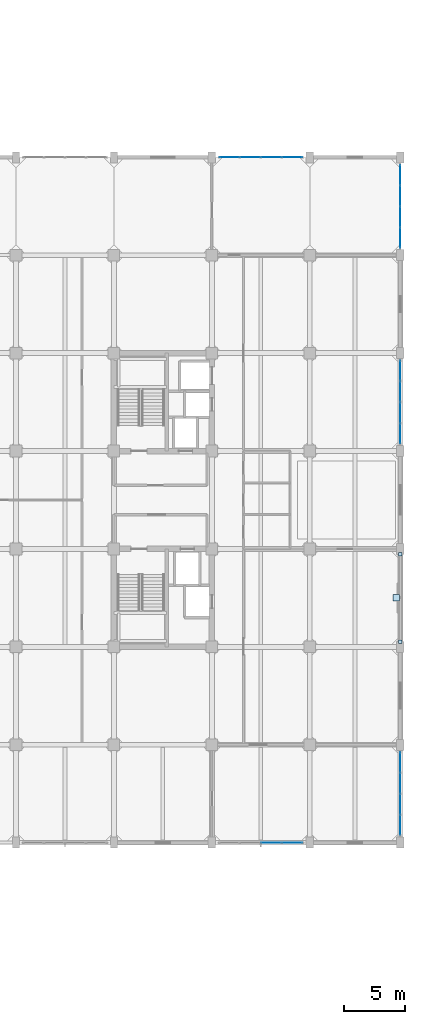
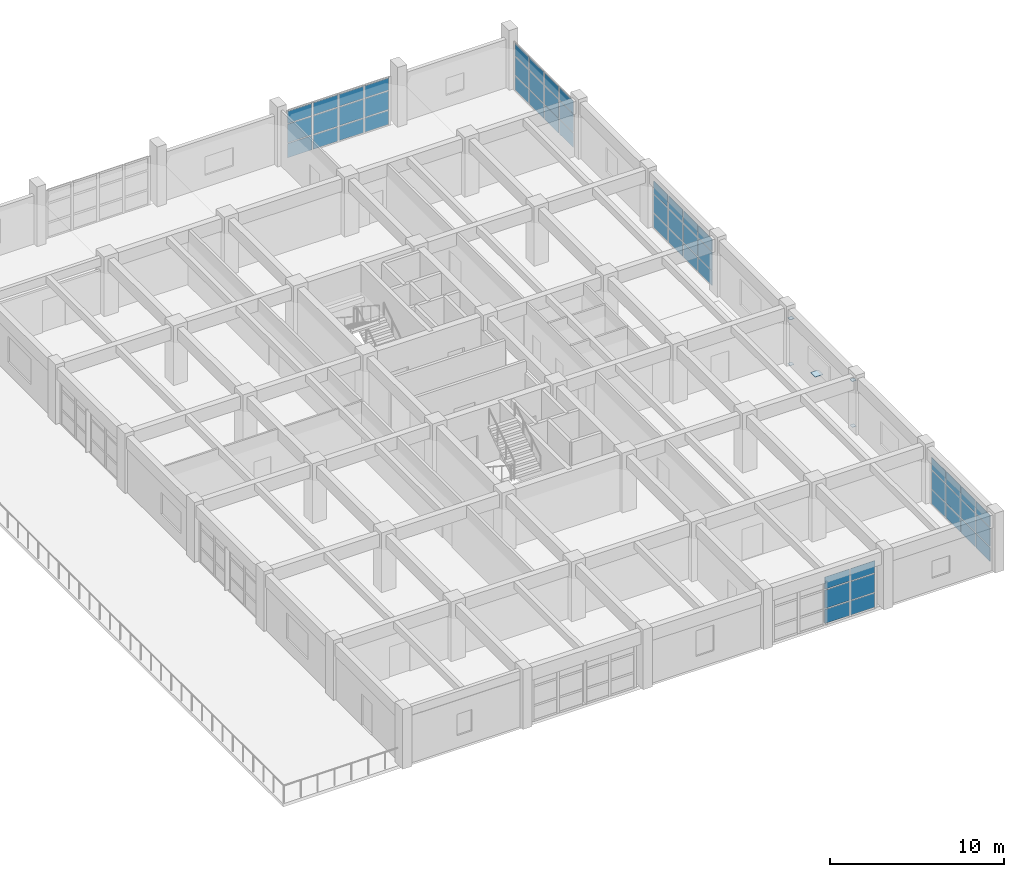
# One storey, part 24 of 35: 59 plates, 5 elements without a shape of their own.
"""IFC4 building model written with IfcOpenShell, lengths in metres."""

import ifcopenshell
import ifcopenshell.guid

model = None  # the IFC model being written
_history = None  # IfcOwnerHistory: only IFC2X3 demands one
_inside = {}  # id of a spatial element -> (the spatial element, [elements in it])
_under = {}  # id of a project, library or spatial element -> (it, [spatial elements below it])
_declared = {}  # id of a project -> (the project, [libraries it declares])
_typed = {}  # id of a type object -> (the type object, [elements of that type])
_made_of = {}  # id of a material, layer set ... -> (it, [elements and type objects made of it])


def new_model(schema):
    """Start an empty IFC model of exactly this schema.

    Asked for "IFC4X3", IfcOpenShell would pick the latest addendum, in which some entities
    have other attributes; the version numbers below select the first issue.
    IFC2X3 requires an IfcOwnerHistory on every rooted entity: one is made here for all.
    """
    global model, _history
    if schema == "IFC4X3":
        model = ifcopenshell.file(schema_version=(4, 3, 0, 0))
    else:
        model = ifcopenshell.file(schema=schema)
    _inside.clear()
    _under.clear()
    _declared.clear()
    _typed.clear()
    _made_of.clear()
    _history = None
    if model.schema == "IFC2X3":
        org = make("IfcOrganization", Name="unknown")
        user = make(
            "IfcPersonAndOrganization",
            ThePerson=make("IfcPerson", FamilyName="unknown"),
            TheOrganization=org,
        )
        app = make(
            "IfcApplication",
            ApplicationDeveloper=org,
            Version="unknown",
            ApplicationFullName="unknown",
            ApplicationIdentifier="unknown",
        )
        _history = make(
            "IfcOwnerHistory",
            OwningUser=user,
            OwningApplication=app,
            ChangeAction="ADDED",
            CreationDate=0,
        )
    return model


def make(cls, **values):
    """One entity of the class cls with the attributes given. An attribute that is None is left unset."""
    return model.create_entity(
        cls, **{name: value for name, value in values.items() if value is not None}
    )


def rooted(cls, **values):
    """An entity with a GlobalId (a new one), such as an element, a storey or a relation."""
    return make(cls, GlobalId=ifcopenshell.guid.new(), OwnerHistory=_history, **values)


def si_unit(unit_type, name, prefix=None):
    """IfcSIUnit, for example si_unit("LENGTHUNIT", "METRE", prefix="MILLI")."""
    return make("IfcSIUnit", UnitType=unit_type, Prefix=prefix, Name=name)


def assignment(units):
    """IfcUnitAssignment: the units of a project."""
    return None if units is None else make("IfcUnitAssignment", Units=units)


def point(xyz):
    """IfcCartesianPoint."""
    return None if xyz is None else make("IfcCartesianPoint", Coordinates=xyz)


def direction(xyz):
    """IfcDirection."""
    return None if xyz is None else make("IfcDirection", DirectionRatios=xyz)


def frame(location, z_axis=None, x_axis=None):
    """IfcAxis2Placement3D, a coordinate frame: its origin and axes. An axis left out is left unset."""
    return make(
        "IfcAxis2Placement3D",
        Location=point(location),
        Axis=direction(z_axis),
        RefDirection=direction(x_axis),
    )


def frame_2d(location, x_axis=None):
    """IfcAxis2Placement2D, a coordinate frame in the plane: its origin and x axis."""
    return make(
        "IfcAxis2Placement2D", Location=point(location), RefDirection=direction(x_axis)
    )


def origin():
    """The frame at (0, 0, 0) with its axes left unset."""
    return frame((0.0, 0.0, 0.0))


def origin_2d():
    """The frame at (0, 0) in the plane with its x axis left unset."""
    return frame_2d((0.0, 0.0))


def place(relative_to, where):
    """IfcLocalPlacement: puts the frame where relative to a parent placement (None: the world)."""
    return make(
        "IfcLocalPlacement", PlacementRelTo=relative_to, RelativePlacement=where
    )


def context(
    kind, dimensions, precision=None, world=None, true_north=None, identifier=None
):
    """IfcGeometricRepresentationContext, for example the 3D "Model" context."""
    return make(
        "IfcGeometricRepresentationContext",
        ContextIdentifier=identifier,
        ContextType=kind,
        CoordinateSpaceDimension=dimensions,
        Precision=precision,
        WorldCoordinateSystem=world,
        TrueNorth=true_north,
    )


def subcontext(parent, identifier, kind, view, scale=None):
    """IfcGeometricRepresentationSubContext, for example "Body" below "Model"."""
    return make(
        "IfcGeometricRepresentationSubContext",
        ContextIdentifier=identifier,
        ContextType=kind,
        ParentContext=parent,
        TargetScale=scale,
        TargetView=view,
    )


def project(units=None, contexts=None):
    """IfcProject with its units and contexts."""
    return rooted(
        "IfcProject",
        Name="project",
        RepresentationContexts=contexts,
        UnitsInContext=assignment(units),
    )


def spatial(cls, under=None, at=None, **own):
    """A site, building, storey or space (cls), placed at a placement, below another one or the project."""
    s = rooted(cls, ObjectPlacement=at, **own)
    if under is not None:
        _under.setdefault(under.id(), (under, []))[1].append(s)
    return s


def profile(cls, at=None, kind="AREA", **sizes):
    """A parametric profile (cls). Its sizes go by their IFC names, for example OverallWidth=200.0."""
    return make(cls, ProfileType=kind, Position=at, **sizes)


def rectangle(**sizes):
    """IfcRectangleProfileDef."""
    return profile("IfcRectangleProfileDef", **sizes)


def extrude(swept, where, along, depth):
    """IfcExtrudedAreaSolid: the profile swept, set in the frame where, extruded along a direction by depth."""
    return make(
        "IfcExtrudedAreaSolid",
        SweptArea=swept,
        Position=where,
        ExtrudedDirection=direction(along),
        Depth=depth,
    )


def shape(context_of_items, identifier, shape_type, items):
    """IfcShapeRepresentation: the items that make up one representation, for example the "Body"."""
    return make(
        "IfcShapeRepresentation",
        ContextOfItems=context_of_items,
        RepresentationIdentifier=identifier,
        RepresentationType=shape_type,
        Items=items,
    )


def material(Name=None, Category=None):
    """IfcMaterial."""
    return make("IfcMaterial", Name=Name, Category=Category)


def layer(
    of_material, thickness, ventilated=None, Name=None, Category=None, Priority=None
):
    """IfcMaterialLayer: one layer of a wall or slab, of a material (None: an air gap)."""
    return make(
        "IfcMaterialLayer",
        Material=of_material,
        LayerThickness=thickness,
        IsVentilated=ventilated,
        Name=Name,
        Category=Category,
        Priority=Priority,
    )


def layer_set(layers, Name=None):
    """IfcMaterialLayerSet."""
    return make("IfcMaterialLayerSet", MaterialLayers=layers, LayerSetName=Name)


def made_of(thing, what):
    """Note that an element or type object is made of a material, layer set ...; save() writes the relation."""
    if what is not None:
        _made_of.setdefault(what.id(), (what, []))[1].append(thing)
    return thing


def type_object(cls, material=None, **own):
    """A type object (cls), such as IfcWallType, which elements share."""
    return made_of(rooted(cls, **own), material)


def element(
    cls,
    number,
    at=None,
    inside=None,
    cuts=None,
    type_object=None,
    material=None,
    context=None,
    identifier="Body",
    shape_type=None,
    held_by="IfcProductDefinitionShape",
    body=None,
    shapes=None,
    **own,
):
    """One element of the class cls, such as IfcWall. Its Tag is "e" and its number.

    at: its placement. inside: the storey or other place that contains it. cuts: it is an
    opening in that element (IfcRelVoidsElement). A single representation is given by context,
    identifier, shape_type and body (its items); several are given by shapes. held_by: the class
    of the entity that holds the representations. save() writes the other relations.
    """
    e = rooted(cls, Tag="e%d" % number, ObjectPlacement=at, **own)
    if body is not None:
        shapes = [shape(context, identifier, shape_type, body)]
    if shapes is not None:
        e.Representation = make(held_by, Representations=shapes)
    if inside is not None:
        _inside.setdefault(inside.id(), (inside, []))[1].append(e)
    if cuts is not None:
        rooted(
            "IfcRelVoidsElement", RelatingBuildingElement=cuts, RelatedOpeningElement=e
        )
    if type_object is not None:
        _typed.setdefault(type_object.id(), (type_object, []))[1].append(e)
    return made_of(e, material)


def aggregate(whole, parts):
    """IfcRelAggregates: a whole, such as a stair, and the parts it consists of."""
    return rooted("IfcRelAggregates", RelatingObject=whole, RelatedObjects=parts)


def save(model, path):
    """Write the relations noted so far, then the file.

    IfcRelAggregates (storeys below a building ...), IfcRelContainedInSpatialStructure (elements
    in a storey), IfcRelDefinesByType, IfcRelAssociatesMaterial and IfcRelDeclares: one each for
    every whole, place, type object, material and project.
    """
    for whole, parts in _under.values():
        aggregate(whole, parts)
    for where, things in _inside.values():
        rooted(
            "IfcRelContainedInSpatialStructure",
            RelatedElements=things,
            RelatingStructure=where,
        )
    for kind, things in _typed.values():
        rooted("IfcRelDefinesByType", RelatedObjects=things, RelatingType=kind)
    for what, things in _made_of.values():
        rooted("IfcRelAssociatesMaterial", RelatedObjects=things, RelatingMaterial=what)
    for by, libraries in _declared.values():
        rooted("IfcRelDeclares", RelatingContext=by, RelatedDefinitions=libraries)
    model.write(path)


model = new_model("IFC4")

# Units and contexts
model_context = context("Model", 3, precision=1e-05, world=origin(), true_north=direction((0.0, 1.0)))
body_context = subcontext(model_context, "Body", "Model", "MODEL_VIEW")
ifc_project = project(units=[si_unit("LENGTHUNIT", "METRE"), si_unit("AREAUNIT", "SQUARE_METRE"), si_unit("VOLUMEUNIT", "CUBIC_METRE"), si_unit("PLANEANGLEUNIT", "RADIAN"), si_unit("MASSUNIT", "GRAM", prefix="KILO")], contexts=[model_context])

# Site, building, storey
site_placement = place(None, origin())
site = spatial("IfcSite", under=ifc_project, at=site_placement, CompositionType="ELEMENT")
building_placement = place(site_placement, origin())
building = spatial("IfcBuilding", under=site, at=building_placement, Name="Canggui Botanical Conservatory", CompositionType="ELEMENT")
storey_placement = place(building_placement, frame((0.0, 0.0, 15.0)))
storey = spatial("IfcBuildingStorey", under=building, at=storey_placement, Name="L04", CompositionType="ELEMENT", Elevation=15.0)

# Curtain wall, plates
ifc_material_1 = material(Name="Thermally Broken Aluminium", Category="aluminium")
ifc_layer_1 = layer(ifc_material_1, 0.179931640625, Name="Thermally Broken Aluminium", Category="aluminium")
ifc_layer_set_1 = layer_set([ifc_layer_1], Name="Thermally Broken Aluminium")
curtain_wall_type = type_object("IfcCurtainWallType", Name="CW-UNIT-A", PredefinedType="USERDEFINED", material=ifc_layer_set_1)
curtain_wall_1_placement = place(storey_placement, origin())
curtain_wall_1 = element("IfcCurtainWall", 1, at=curtain_wall_1_placement, inside=storey, type_object=curtain_wall_type, Name="Facade Curtain Wall CW-TWR-L04-02", ObjectType="UNITISED CURTAIN WALL", PredefinedType="USERDEFINED")
ifc_material_2 = material(Name="Low-E Insulated Glass", Category="glass")
ifc_layer_2 = layer(ifc_material_2, 0.02587890625, Name="Low-E Insulated Glass", Category="glass")
ifc_layer_set_2 = layer_set([ifc_layer_2], Name="Low-E Insulated Glass")
plate_type_1 = type_object("IfcPlateType", Name="CWP-01", PredefinedType="CURTAIN_PANEL", material=ifc_layer_set_2)
plate_1_placement = place(storey_placement, frame((168.5625, 26.0, 0.06494140625), z_axis=(0.0, 0.0, 1.0), x_axis=(-1.0, 0.0, 0.0)))
plate_1 = element("IfcPlate", 2, at=plate_1_placement, type_object=plate_type_1, Name="CW-01 panel 1.1", PredefinedType="CURTAIN_PANEL", context=body_context, shape_type="SweptSolid", body=[
    extrude(rectangle(XDim=1.614990234375, YDim=0.02587890625, at=origin_2d()), origin(), (0.0, 0.0, 1.0), 0.990478515625),
])
plate_2_placement = place(storey_placement, frame((168.5625, 26.0, 1.12060546875), z_axis=(0.0, 0.0, 1.0), x_axis=(-1.0, 0.0, 0.0)))
plate_2 = element("IfcPlate", 3, at=plate_2_placement, type_object=plate_type_1, Name="CW-01 panel 1.2", PredefinedType="CURTAIN_PANEL", context=body_context, shape_type="SweptSolid", body=[
    extrude(rectangle(XDim=1.614990234375, YDim=0.02587890625, at=origin_2d()), origin(), (0.0, 0.0, 1.0), 1.294921875),
])
plate_3_placement = place(storey_placement, frame((168.5625, 26.0, 2.48046875), z_axis=(0.0, 0.0, 1.0), x_axis=(-1.0, 0.0, 0.0)))
plate_3 = element("IfcPlate", 4, at=plate_3_placement, type_object=plate_type_1, Name="CW-01 panel 1.3", PredefinedType="CURTAIN_PANEL", context=body_context, shape_type="SweptSolid", body=[
    extrude(rectangle(XDim=1.614990234375, YDim=0.02587890625, at=origin_2d()), origin(), (0.0, 0.0, 1.0), 0.8544921875),
])
plate_4_placement = place(storey_placement, frame((166.860107421875, 26.0, 0.06494140625), z_axis=(0.0, 0.0, 1.0), x_axis=(-1.0, 0.0, 0.0)))
plate_4 = element("IfcPlate", 5, at=plate_4_placement, type_object=plate_type_1, Name="CW-01 panel 2.1", PredefinedType="CURTAIN_PANEL", context=body_context, shape_type="SweptSolid", body=[
    extrude(rectangle(XDim=1.64990234375, YDim=0.02587890625, at=origin_2d()), origin(), (0.0, 0.0, 1.0), 0.990478515625),
])
plate_5_placement = place(storey_placement, frame((166.860107421875, 26.0, 1.12060546875), z_axis=(0.0, 0.0, 1.0), x_axis=(-1.0, 0.0, 0.0)))
plate_5 = element("IfcPlate", 6, at=plate_5_placement, type_object=plate_type_1, Name="CW-01 panel 2.2", PredefinedType="CURTAIN_PANEL", context=body_context, shape_type="SweptSolid", body=[
    extrude(rectangle(XDim=1.64990234375, YDim=0.02587890625, at=origin_2d()), origin(), (0.0, 0.0, 1.0), 1.294921875),
])
plate_6_placement = place(storey_placement, frame((166.860107421875, 26.0, 2.48046875), z_axis=(0.0, 0.0, 1.0), x_axis=(-1.0, 0.0, 0.0)))
plate_6 = element("IfcPlate", 7, at=plate_6_placement, type_object=plate_type_1, Name="CW-01 panel 2.3", PredefinedType="CURTAIN_PANEL", context=body_context, shape_type="SweptSolid", body=[
    extrude(rectangle(XDim=1.64990234375, YDim=0.02587890625, at=origin_2d()), origin(), (0.0, 0.0, 1.0), 0.8544921875),
])
aggregate(curtain_wall_1, [plate_1, plate_2, plate_3, plate_4, plate_5, plate_6])

curtain_wall_2_placement = place(storey_placement, origin())
curtain_wall_2 = element("IfcCurtainWall", 8, at=curtain_wall_2_placement, inside=storey, type_object=curtain_wall_type, Name="Facade Curtain Wall CW-TWR-L04-16", ObjectType="UNITISED CURTAIN WALL", PredefinedType="USERDEFINED")
plate_7_placement = place(storey_placement, frame((163.4375, 82.0, 0.06494140625), z_axis=(0.0, 0.0, 1.0), x_axis=(1.0, 0.0, 0.0)))
plate_7 = element("IfcPlate", 9, at=plate_7_placement, type_object=plate_type_1, Name="CW-01 panel 1.1", PredefinedType="CURTAIN_PANEL", context=body_context, shape_type="SweptSolid", body=[
    extrude(rectangle(XDim=1.614990234375, YDim=0.02587890625, at=origin_2d()), origin(), (0.0, 0.0, 1.0), 0.990478515625),
])
plate_8_placement = place(storey_placement, frame((163.4375, 82.0, 1.12060546875), z_axis=(0.0, 0.0, 1.0), x_axis=(1.0, 0.0, 0.0)))
plate_8 = element("IfcPlate", 10, at=plate_8_placement, type_object=plate_type_1, Name="CW-01 panel 1.2", PredefinedType="CURTAIN_PANEL", context=body_context, shape_type="SweptSolid", body=[
    extrude(rectangle(XDim=1.614990234375, YDim=0.02587890625, at=origin_2d()), origin(), (0.0, 0.0, 1.0), 1.294921875),
])
plate_9_placement = place(storey_placement, frame((163.4375, 82.0, 2.48046875), z_axis=(0.0, 0.0, 1.0), x_axis=(1.0, 0.0, 0.0)))
plate_9 = element("IfcPlate", 11, at=plate_9_placement, type_object=plate_type_1, Name="CW-01 panel 1.3", PredefinedType="CURTAIN_PANEL", context=body_context, shape_type="SweptSolid", body=[
    extrude(rectangle(XDim=1.614990234375, YDim=0.02587890625, at=origin_2d()), origin(), (0.0, 0.0, 1.0), 0.8544921875),
])
plate_10_placement = place(storey_placement, frame((165.139892578125, 82.0, 0.06494140625), z_axis=(0.0, 0.0, 1.0), x_axis=(1.0, 0.0, 0.0)))
plate_10 = element("IfcPlate", 12, at=plate_10_placement, type_object=plate_type_1, Name="CW-01 panel 2.1", PredefinedType="CURTAIN_PANEL", context=body_context, shape_type="SweptSolid", body=[
    extrude(rectangle(XDim=1.64990234375, YDim=0.02587890625, at=origin_2d()), origin(), (0.0, 0.0, 1.0), 0.990478515625),
])
plate_11_placement = place(storey_placement, frame((165.139892578125, 82.0, 1.12060546875), z_axis=(0.0, 0.0, 1.0), x_axis=(1.0, 0.0, 0.0)))
plate_11 = element("IfcPlate", 13, at=plate_11_placement, type_object=plate_type_1, Name="CW-01 panel 2.2", PredefinedType="CURTAIN_PANEL", context=body_context, shape_type="SweptSolid", body=[
    extrude(rectangle(XDim=1.64990234375, YDim=0.02587890625, at=origin_2d()), origin(), (0.0, 0.0, 1.0), 1.294921875),
])
plate_12_placement = place(storey_placement, frame((165.139892578125, 82.0, 2.48046875), z_axis=(0.0, 0.0, 1.0), x_axis=(1.0, 0.0, 0.0)))
plate_12 = element("IfcPlate", 14, at=plate_12_placement, type_object=plate_type_1, Name="CW-01 panel 2.3", PredefinedType="CURTAIN_PANEL", context=body_context, shape_type="SweptSolid", body=[
    extrude(rectangle(XDim=1.64990234375, YDim=0.02587890625, at=origin_2d()), origin(), (0.0, 0.0, 1.0), 0.8544921875),
])
plate_13_placement = place(storey_placement, frame((166.860107421875, 82.0, 0.06494140625), z_axis=(0.0, 0.0, 1.0), x_axis=(1.0, 0.0, 0.0)))
plate_13 = element("IfcPlate", 15, at=plate_13_placement, type_object=plate_type_1, Name="CW-01 panel 3.1", PredefinedType="CURTAIN_PANEL", context=body_context, shape_type="SweptSolid", body=[
    extrude(rectangle(XDim=1.64990234375, YDim=0.02587890625, at=origin_2d()), origin(), (0.0, 0.0, 1.0), 0.990478515625),
])
plate_14_placement = place(storey_placement, frame((166.860107421875, 82.0, 1.12060546875), z_axis=(0.0, 0.0, 1.0), x_axis=(1.0, 0.0, 0.0)))
plate_14 = element("IfcPlate", 16, at=plate_14_placement, type_object=plate_type_1, Name="CW-01 panel 3.2", PredefinedType="CURTAIN_PANEL", context=body_context, shape_type="SweptSolid", body=[
    extrude(rectangle(XDim=1.64990234375, YDim=0.02587890625, at=origin_2d()), origin(), (0.0, 0.0, 1.0), 1.294921875),
])
plate_15_placement = place(storey_placement, frame((166.860107421875, 82.0, 2.48046875), z_axis=(0.0, 0.0, 1.0), x_axis=(1.0, 0.0, 0.0)))
plate_15 = element("IfcPlate", 17, at=plate_15_placement, type_object=plate_type_1, Name="CW-01 panel 3.3", PredefinedType="CURTAIN_PANEL", context=body_context, shape_type="SweptSolid", body=[
    extrude(rectangle(XDim=1.64990234375, YDim=0.02587890625, at=origin_2d()), origin(), (0.0, 0.0, 1.0), 0.8544921875),
])
plate_16_placement = place(storey_placement, frame((168.5625, 82.0, 0.06494140625), z_axis=(0.0, 0.0, 1.0), x_axis=(1.0, 0.0, 0.0)))
plate_16 = element("IfcPlate", 18, at=plate_16_placement, type_object=plate_type_1, Name="CW-01 panel 4.1", PredefinedType="CURTAIN_PANEL", context=body_context, shape_type="SweptSolid", body=[
    extrude(rectangle(XDim=1.614990234375, YDim=0.02587890625, at=origin_2d()), origin(), (0.0, 0.0, 1.0), 0.990478515625),
])
plate_17_placement = place(storey_placement, frame((168.5625, 82.0, 1.12060546875), z_axis=(0.0, 0.0, 1.0), x_axis=(1.0, 0.0, 0.0)))
plate_17 = element("IfcPlate", 19, at=plate_17_placement, type_object=plate_type_1, Name="CW-01 panel 4.2", PredefinedType="CURTAIN_PANEL", context=body_context, shape_type="SweptSolid", body=[
    extrude(rectangle(XDim=1.614990234375, YDim=0.02587890625, at=origin_2d()), origin(), (0.0, 0.0, 1.0), 1.294921875),
])
plate_18_placement = place(storey_placement, frame((168.5625, 82.0, 2.48046875), z_axis=(0.0, 0.0, 1.0), x_axis=(1.0, 0.0, 0.0)))
plate_18 = element("IfcPlate", 20, at=plate_18_placement, type_object=plate_type_1, Name="CW-01 panel 4.3", PredefinedType="CURTAIN_PANEL", context=body_context, shape_type="SweptSolid", body=[
    extrude(rectangle(XDim=1.614990234375, YDim=0.02587890625, at=origin_2d()), origin(), (0.0, 0.0, 1.0), 0.8544921875),
])
aggregate(curtain_wall_2, [plate_7, plate_8, plate_9, plate_10, plate_11, plate_12, plate_13, plate_14, plate_15, plate_16, plate_17, plate_18])

curtain_wall_3_placement = place(storey_placement, origin())
curtain_wall_3 = element("IfcCurtainWall", 21, at=curtain_wall_3_placement, inside=storey, type_object=curtain_wall_type, Name="Facade Curtain Wall CW-TWR-L04-18", ObjectType="UNITISED CURTAIN WALL", PredefinedType="USERDEFINED")
plate_19_placement = place(storey_placement, frame((177.39990234375, 80.5625, 0.06494140625), z_axis=(0.0, 0.0, 1.0), x_axis=(0.0, -1.0, 0.0)))
plate_19 = element("IfcPlate", 22, at=plate_19_placement, type_object=plate_type_1, Name="CW-01 panel 1.1", PredefinedType="CURTAIN_PANEL", context=body_context, shape_type="SweptSolid", body=[
    extrude(rectangle(XDim=1.614990234375, YDim=0.02587890625, at=origin_2d()), origin(), (0.0, 0.0, 1.0), 0.990478515625),
])
plate_20_placement = place(storey_placement, frame((177.39990234375, 80.5625, 1.12060546875), z_axis=(0.0, 0.0, 1.0), x_axis=(0.0, -1.0, 0.0)))
plate_20 = element("IfcPlate", 23, at=plate_20_placement, type_object=plate_type_1, Name="CW-01 panel 1.2", PredefinedType="CURTAIN_PANEL", context=body_context, shape_type="SweptSolid", body=[
    extrude(rectangle(XDim=1.614990234375, YDim=0.02587890625, at=origin_2d()), origin(), (0.0, 0.0, 1.0), 1.294921875),
])
plate_21_placement = place(storey_placement, frame((177.39990234375, 80.5625, 2.48046875), z_axis=(0.0, 0.0, 1.0), x_axis=(0.0, -1.0, 0.0)))
plate_21 = element("IfcPlate", 24, at=plate_21_placement, type_object=plate_type_1, Name="CW-01 panel 1.3", PredefinedType="CURTAIN_PANEL", context=body_context, shape_type="SweptSolid", body=[
    extrude(rectangle(XDim=1.614990234375, YDim=0.02587890625, at=origin_2d()), origin(), (0.0, 0.0, 1.0), 0.8544921875),
])
plate_22_placement = place(storey_placement, frame((177.39990234375, 78.860107421875, 0.06494140625), z_axis=(0.0, 0.0, 1.0), x_axis=(0.0, -1.0, 0.0)))
plate_22 = element("IfcPlate", 25, at=plate_22_placement, type_object=plate_type_1, Name="CW-01 panel 2.1", PredefinedType="CURTAIN_PANEL", context=body_context, shape_type="SweptSolid", body=[
    extrude(rectangle(XDim=1.64990234375, YDim=0.02587890625, at=origin_2d()), origin(), (0.0, 0.0, 1.0), 0.990478515625),
])
plate_23_placement = place(storey_placement, frame((177.39990234375, 78.860107421875, 1.12060546875), z_axis=(0.0, 0.0, 1.0), x_axis=(0.0, -1.0, 0.0)))
plate_23 = element("IfcPlate", 26, at=plate_23_placement, type_object=plate_type_1, Name="CW-01 panel 2.2", PredefinedType="CURTAIN_PANEL", context=body_context, shape_type="SweptSolid", body=[
    extrude(rectangle(XDim=1.64990234375, YDim=0.02587890625, at=origin_2d()), origin(), (0.0, 0.0, 1.0), 1.294921875),
])
plate_24_placement = place(storey_placement, frame((177.39990234375, 78.860107421875, 2.48046875), z_axis=(0.0, 0.0, 1.0), x_axis=(0.0, -1.0, 0.0)))
plate_24 = element("IfcPlate", 27, at=plate_24_placement, type_object=plate_type_1, Name="CW-01 panel 2.3", PredefinedType="CURTAIN_PANEL", context=body_context, shape_type="SweptSolid", body=[
    extrude(rectangle(XDim=1.64990234375, YDim=0.02587890625, at=origin_2d()), origin(), (0.0, 0.0, 1.0), 0.8544921875),
])
plate_25_placement = place(storey_placement, frame((177.39990234375, 77.139892578125, 0.06494140625), z_axis=(0.0, 0.0, 1.0), x_axis=(0.0, -1.0, 0.0)))
plate_25 = element("IfcPlate", 28, at=plate_25_placement, type_object=plate_type_1, Name="CW-01 panel 3.1", PredefinedType="CURTAIN_PANEL", context=body_context, shape_type="SweptSolid", body=[
    extrude(rectangle(XDim=1.64990234375, YDim=0.02587890625, at=origin_2d()), origin(), (0.0, 0.0, 1.0), 0.990478515625),
])
plate_26_placement = place(storey_placement, frame((177.39990234375, 77.139892578125, 1.12060546875), z_axis=(0.0, 0.0, 1.0), x_axis=(0.0, -1.0, 0.0)))
plate_26 = element("IfcPlate", 29, at=plate_26_placement, type_object=plate_type_1, Name="CW-01 panel 3.2", PredefinedType="CURTAIN_PANEL", context=body_context, shape_type="SweptSolid", body=[
    extrude(rectangle(XDim=1.64990234375, YDim=0.02587890625, at=origin_2d()), origin(), (0.0, 0.0, 1.0), 1.294921875),
])
plate_27_placement = place(storey_placement, frame((177.39990234375, 77.139892578125, 2.48046875), z_axis=(0.0, 0.0, 1.0), x_axis=(0.0, -1.0, 0.0)))
plate_27 = element("IfcPlate", 30, at=plate_27_placement, type_object=plate_type_1, Name="CW-01 panel 3.3", PredefinedType="CURTAIN_PANEL", context=body_context, shape_type="SweptSolid", body=[
    extrude(rectangle(XDim=1.64990234375, YDim=0.02587890625, at=origin_2d()), origin(), (0.0, 0.0, 1.0), 0.8544921875),
])
plate_28_placement = place(storey_placement, frame((177.39990234375, 75.4375, 0.06494140625), z_axis=(0.0, 0.0, 1.0), x_axis=(0.0, -1.0, 0.0)))
plate_28 = element("IfcPlate", 31, at=plate_28_placement, type_object=plate_type_1, Name="CW-01 panel 4.1", PredefinedType="CURTAIN_PANEL", context=body_context, shape_type="SweptSolid", body=[
    extrude(rectangle(XDim=1.614990234375, YDim=0.02587890625, at=origin_2d()), origin(), (0.0, 0.0, 1.0), 0.990478515625),
])
plate_29_placement = place(storey_placement, frame((177.39990234375, 75.4375, 1.12060546875), z_axis=(0.0, 0.0, 1.0), x_axis=(0.0, -1.0, 0.0)))
plate_29 = element("IfcPlate", 32, at=plate_29_placement, type_object=plate_type_1, Name="CW-01 panel 4.2", PredefinedType="CURTAIN_PANEL", context=body_context, shape_type="SweptSolid", body=[
    extrude(rectangle(XDim=1.614990234375, YDim=0.02587890625, at=origin_2d()), origin(), (0.0, 0.0, 1.0), 1.294921875),
])
plate_30_placement = place(storey_placement, frame((177.39990234375, 75.4375, 2.48046875), z_axis=(0.0, 0.0, 1.0), x_axis=(0.0, -1.0, 0.0)))
plate_30 = element("IfcPlate", 33, at=plate_30_placement, type_object=plate_type_1, Name="CW-01 panel 4.3", PredefinedType="CURTAIN_PANEL", context=body_context, shape_type="SweptSolid", body=[
    extrude(rectangle(XDim=1.614990234375, YDim=0.02587890625, at=origin_2d()), origin(), (0.0, 0.0, 1.0), 0.8544921875),
])
aggregate(curtain_wall_3, [plate_19, plate_20, plate_21, plate_22, plate_23, plate_24, plate_25, plate_26, plate_27, plate_28, plate_29, plate_30])

curtain_wall_4_placement = place(storey_placement, origin())
curtain_wall_4 = element("IfcCurtainWall", 34, at=curtain_wall_4_placement, inside=storey, type_object=curtain_wall_type, Name="Facade Curtain Wall CW-TWR-L04-20", ObjectType="UNITISED CURTAIN WALL", PredefinedType="USERDEFINED")
plate_31_placement = place(storey_placement, frame((177.39990234375, 64.5625, 0.06494140625), z_axis=(0.0, 0.0, 1.0), x_axis=(0.0, -1.0, 0.0)))
plate_31 = element("IfcPlate", 35, at=plate_31_placement, type_object=plate_type_1, Name="CW-01 panel 1.1", PredefinedType="CURTAIN_PANEL", context=body_context, shape_type="SweptSolid", body=[
    extrude(rectangle(XDim=1.614990234375, YDim=0.02587890625, at=origin_2d()), origin(), (0.0, 0.0, 1.0), 0.990478515625),
])
plate_32_placement = place(storey_placement, frame((177.39990234375, 64.5625, 1.12060546875), z_axis=(0.0, 0.0, 1.0), x_axis=(0.0, -1.0, 0.0)))
plate_32 = element("IfcPlate", 36, at=plate_32_placement, type_object=plate_type_1, Name="CW-01 panel 1.2", PredefinedType="CURTAIN_PANEL", context=body_context, shape_type="SweptSolid", body=[
    extrude(rectangle(XDim=1.614990234375, YDim=0.02587890625, at=origin_2d()), origin(), (0.0, 0.0, 1.0), 1.294921875),
])
plate_33_placement = place(storey_placement, frame((177.39990234375, 64.5625, 2.48046875), z_axis=(0.0, 0.0, 1.0), x_axis=(0.0, -1.0, 0.0)))
plate_33 = element("IfcPlate", 37, at=plate_33_placement, type_object=plate_type_1, Name="CW-01 panel 1.3", PredefinedType="CURTAIN_PANEL", context=body_context, shape_type="SweptSolid", body=[
    extrude(rectangle(XDim=1.614990234375, YDim=0.02587890625, at=origin_2d()), origin(), (0.0, 0.0, 1.0), 0.8544921875),
])
plate_34_placement = place(storey_placement, frame((177.39990234375, 62.860107421875, 0.06494140625), z_axis=(0.0, 0.0, 1.0), x_axis=(0.0, -1.0, 0.0)))
plate_34 = element("IfcPlate", 38, at=plate_34_placement, type_object=plate_type_1, Name="CW-01 panel 2.1", PredefinedType="CURTAIN_PANEL", context=body_context, shape_type="SweptSolid", body=[
    extrude(rectangle(XDim=1.64990234375, YDim=0.02587890625, at=origin_2d()), origin(), (0.0, 0.0, 1.0), 0.990478515625),
])
plate_35_placement = place(storey_placement, frame((177.39990234375, 62.860107421875, 1.12060546875), z_axis=(0.0, 0.0, 1.0), x_axis=(0.0, -1.0, 0.0)))
plate_35 = element("IfcPlate", 39, at=plate_35_placement, type_object=plate_type_1, Name="CW-01 panel 2.2", PredefinedType="CURTAIN_PANEL", context=body_context, shape_type="SweptSolid", body=[
    extrude(rectangle(XDim=1.64990234375, YDim=0.02587890625, at=origin_2d()), origin(), (0.0, 0.0, 1.0), 1.294921875),
])
plate_36_placement = place(storey_placement, frame((177.39990234375, 62.860107421875, 2.48046875), z_axis=(0.0, 0.0, 1.0), x_axis=(0.0, -1.0, 0.0)))
plate_36 = element("IfcPlate", 40, at=plate_36_placement, type_object=plate_type_1, Name="CW-01 panel 2.3", PredefinedType="CURTAIN_PANEL", context=body_context, shape_type="SweptSolid", body=[
    extrude(rectangle(XDim=1.64990234375, YDim=0.02587890625, at=origin_2d()), origin(), (0.0, 0.0, 1.0), 0.8544921875),
])
plate_37_placement = place(storey_placement, frame((177.39990234375, 61.139892578125, 0.06494140625), z_axis=(0.0, 0.0, 1.0), x_axis=(0.0, -1.0, 0.0)))
plate_37 = element("IfcPlate", 41, at=plate_37_placement, type_object=plate_type_1, Name="CW-01 panel 3.1", PredefinedType="CURTAIN_PANEL", context=body_context, shape_type="SweptSolid", body=[
    extrude(rectangle(XDim=1.64990234375, YDim=0.02587890625, at=origin_2d()), origin(), (0.0, 0.0, 1.0), 0.990478515625),
])
plate_38_placement = place(storey_placement, frame((177.39990234375, 61.139892578125, 1.12060546875), z_axis=(0.0, 0.0, 1.0), x_axis=(0.0, -1.0, 0.0)))
plate_38 = element("IfcPlate", 42, at=plate_38_placement, type_object=plate_type_1, Name="CW-01 panel 3.2", PredefinedType="CURTAIN_PANEL", context=body_context, shape_type="SweptSolid", body=[
    extrude(rectangle(XDim=1.64990234375, YDim=0.02587890625, at=origin_2d()), origin(), (0.0, 0.0, 1.0), 1.294921875),
])
plate_39_placement = place(storey_placement, frame((177.39990234375, 61.139892578125, 2.48046875), z_axis=(0.0, 0.0, 1.0), x_axis=(0.0, -1.0, 0.0)))
plate_39 = element("IfcPlate", 43, at=plate_39_placement, type_object=plate_type_1, Name="CW-01 panel 3.3", PredefinedType="CURTAIN_PANEL", context=body_context, shape_type="SweptSolid", body=[
    extrude(rectangle(XDim=1.64990234375, YDim=0.02587890625, at=origin_2d()), origin(), (0.0, 0.0, 1.0), 0.8544921875),
])
plate_40_placement = place(storey_placement, frame((177.39990234375, 59.4375, 0.06494140625), z_axis=(0.0, 0.0, 1.0), x_axis=(0.0, -1.0, 0.0)))
plate_40 = element("IfcPlate", 44, at=plate_40_placement, type_object=plate_type_1, Name="CW-01 panel 4.1", PredefinedType="CURTAIN_PANEL", context=body_context, shape_type="SweptSolid", body=[
    extrude(rectangle(XDim=1.614990234375, YDim=0.02587890625, at=origin_2d()), origin(), (0.0, 0.0, 1.0), 0.990478515625),
])
plate_41_placement = place(storey_placement, frame((177.39990234375, 59.4375, 1.12060546875), z_axis=(0.0, 0.0, 1.0), x_axis=(0.0, -1.0, 0.0)))
plate_41 = element("IfcPlate", 45, at=plate_41_placement, type_object=plate_type_1, Name="CW-01 panel 4.2", PredefinedType="CURTAIN_PANEL", context=body_context, shape_type="SweptSolid", body=[
    extrude(rectangle(XDim=1.614990234375, YDim=0.02587890625, at=origin_2d()), origin(), (0.0, 0.0, 1.0), 1.294921875),
])
plate_42_placement = place(storey_placement, frame((177.39990234375, 59.4375, 2.48046875), z_axis=(0.0, 0.0, 1.0), x_axis=(0.0, -1.0, 0.0)))
plate_42 = element("IfcPlate", 46, at=plate_42_placement, type_object=plate_type_1, Name="CW-01 panel 4.3", PredefinedType="CURTAIN_PANEL", context=body_context, shape_type="SweptSolid", body=[
    extrude(rectangle(XDim=1.614990234375, YDim=0.02587890625, at=origin_2d()), origin(), (0.0, 0.0, 1.0), 0.8544921875),
])
aggregate(curtain_wall_4, [plate_31, plate_32, plate_33, plate_34, plate_35, plate_36, plate_37, plate_38, plate_39, plate_40, plate_41, plate_42])

curtain_wall_5_placement = place(storey_placement, origin())
curtain_wall_5 = element("IfcCurtainWall", 47, at=curtain_wall_5_placement, inside=storey, type_object=curtain_wall_type, Name="Facade Curtain Wall CW-TWR-L04-24", ObjectType="UNITISED CURTAIN WALL", PredefinedType="USERDEFINED")
plate_43_placement = place(storey_placement, frame((177.39990234375, 32.5625, 0.06494140625), z_axis=(0.0, 0.0, 1.0), x_axis=(0.0, -1.0, 0.0)))
plate_43 = element("IfcPlate", 48, at=plate_43_placement, type_object=plate_type_1, Name="CW-01 panel 1.1", PredefinedType="CURTAIN_PANEL", context=body_context, shape_type="SweptSolid", body=[
    extrude(rectangle(XDim=1.614990234375, YDim=0.02587890625, at=origin_2d()), origin(), (0.0, 0.0, 1.0), 0.990478515625),
])
plate_44_placement = place(storey_placement, frame((177.39990234375, 32.5625, 1.12060546875), z_axis=(0.0, 0.0, 1.0), x_axis=(0.0, -1.0, 0.0)))
plate_44 = element("IfcPlate", 49, at=plate_44_placement, type_object=plate_type_1, Name="CW-01 panel 1.2", PredefinedType="CURTAIN_PANEL", context=body_context, shape_type="SweptSolid", body=[
    extrude(rectangle(XDim=1.614990234375, YDim=0.02587890625, at=origin_2d()), origin(), (0.0, 0.0, 1.0), 1.294921875),
])
plate_45_placement = place(storey_placement, frame((177.39990234375, 32.5625, 2.48046875), z_axis=(0.0, 0.0, 1.0), x_axis=(0.0, -1.0, 0.0)))
plate_45 = element("IfcPlate", 50, at=plate_45_placement, type_object=plate_type_1, Name="CW-01 panel 1.3", PredefinedType="CURTAIN_PANEL", context=body_context, shape_type="SweptSolid", body=[
    extrude(rectangle(XDim=1.614990234375, YDim=0.02587890625, at=origin_2d()), origin(), (0.0, 0.0, 1.0), 0.8544921875),
])
plate_46_placement = place(storey_placement, frame((177.39990234375, 30.860107421875, 0.06494140625), z_axis=(0.0, 0.0, 1.0), x_axis=(0.0, -1.0, 0.0)))
plate_46 = element("IfcPlate", 51, at=plate_46_placement, type_object=plate_type_1, Name="CW-01 panel 2.1", PredefinedType="CURTAIN_PANEL", context=body_context, shape_type="SweptSolid", body=[
    extrude(rectangle(XDim=1.64990234375, YDim=0.02587890625, at=origin_2d()), origin(), (0.0, 0.0, 1.0), 0.990478515625),
])
plate_47_placement = place(storey_placement, frame((177.39990234375, 30.860107421875, 1.12060546875), z_axis=(0.0, 0.0, 1.0), x_axis=(0.0, -1.0, 0.0)))
plate_47 = element("IfcPlate", 52, at=plate_47_placement, type_object=plate_type_1, Name="CW-01 panel 2.2", PredefinedType="CURTAIN_PANEL", context=body_context, shape_type="SweptSolid", body=[
    extrude(rectangle(XDim=1.64990234375, YDim=0.02587890625, at=origin_2d()), origin(), (0.0, 0.0, 1.0), 1.294921875),
])
plate_48_placement = place(storey_placement, frame((177.39990234375, 30.860107421875, 2.48046875), z_axis=(0.0, 0.0, 1.0), x_axis=(0.0, -1.0, 0.0)))
plate_48 = element("IfcPlate", 53, at=plate_48_placement, type_object=plate_type_1, Name="CW-01 panel 2.3", PredefinedType="CURTAIN_PANEL", context=body_context, shape_type="SweptSolid", body=[
    extrude(rectangle(XDim=1.64990234375, YDim=0.02587890625, at=origin_2d()), origin(), (0.0, 0.0, 1.0), 0.8544921875),
])
plate_49_placement = place(storey_placement, frame((177.39990234375, 29.139892578125, 0.06494140625), z_axis=(0.0, 0.0, 1.0), x_axis=(0.0, -1.0, 0.0)))
plate_49 = element("IfcPlate", 54, at=plate_49_placement, type_object=plate_type_1, Name="CW-01 panel 3.1", PredefinedType="CURTAIN_PANEL", context=body_context, shape_type="SweptSolid", body=[
    extrude(rectangle(XDim=1.64990234375, YDim=0.02587890625, at=origin_2d()), origin(), (0.0, 0.0, 1.0), 0.990478515625),
])
plate_50_placement = place(storey_placement, frame((177.39990234375, 29.139892578125, 1.12060546875), z_axis=(0.0, 0.0, 1.0), x_axis=(0.0, -1.0, 0.0)))
plate_50 = element("IfcPlate", 55, at=plate_50_placement, type_object=plate_type_1, Name="CW-01 panel 3.2", PredefinedType="CURTAIN_PANEL", context=body_context, shape_type="SweptSolid", body=[
    extrude(rectangle(XDim=1.64990234375, YDim=0.02587890625, at=origin_2d()), origin(), (0.0, 0.0, 1.0), 1.294921875),
])
plate_51_placement = place(storey_placement, frame((177.39990234375, 29.139892578125, 2.48046875), z_axis=(0.0, 0.0, 1.0), x_axis=(0.0, -1.0, 0.0)))
plate_51 = element("IfcPlate", 56, at=plate_51_placement, type_object=plate_type_1, Name="CW-01 panel 3.3", PredefinedType="CURTAIN_PANEL", context=body_context, shape_type="SweptSolid", body=[
    extrude(rectangle(XDim=1.64990234375, YDim=0.02587890625, at=origin_2d()), origin(), (0.0, 0.0, 1.0), 0.8544921875),
])
plate_52_placement = place(storey_placement, frame((177.39990234375, 27.4375, 0.06494140625), z_axis=(0.0, 0.0, 1.0), x_axis=(0.0, -1.0, 0.0)))
plate_52 = element("IfcPlate", 57, at=plate_52_placement, type_object=plate_type_1, Name="CW-01 panel 4.1", PredefinedType="CURTAIN_PANEL", context=body_context, shape_type="SweptSolid", body=[
    extrude(rectangle(XDim=1.614990234375, YDim=0.02587890625, at=origin_2d()), origin(), (0.0, 0.0, 1.0), 0.990478515625),
])
plate_53_placement = place(storey_placement, frame((177.39990234375, 27.4375, 1.12060546875), z_axis=(0.0, 0.0, 1.0), x_axis=(0.0, -1.0, 0.0)))
plate_53 = element("IfcPlate", 58, at=plate_53_placement, type_object=plate_type_1, Name="CW-01 panel 4.2", PredefinedType="CURTAIN_PANEL", context=body_context, shape_type="SweptSolid", body=[
    extrude(rectangle(XDim=1.614990234375, YDim=0.02587890625, at=origin_2d()), origin(), (0.0, 0.0, 1.0), 1.294921875),
])
plate_54_placement = place(storey_placement, frame((177.39990234375, 27.4375, 2.48046875), z_axis=(0.0, 0.0, 1.0), x_axis=(0.0, -1.0, 0.0)))
plate_54 = element("IfcPlate", 59, at=plate_54_placement, type_object=plate_type_1, Name="CW-01 panel 4.3", PredefinedType="CURTAIN_PANEL", context=body_context, shape_type="SweptSolid", body=[
    extrude(rectangle(XDim=1.614990234375, YDim=0.02587890625, at=origin_2d()), origin(), (0.0, 0.0, 1.0), 0.8544921875),
])
aggregate(curtain_wall_5, [plate_43, plate_44, plate_45, plate_46, plate_47, plate_48, plate_49, plate_50, plate_51, plate_52, plate_53, plate_54])

# Plates
ifc_material_3 = material(Name="Steel Q355B", Category="steel")
ifc_layer_3 = layer(ifc_material_3, 0.02001953125, Name="Steel Q355B", Category="steel")
ifc_layer_set_3 = layer_set([ifc_layer_3], Name="Steel Q355B")
plate_type_2 = type_object("IfcPlateType", Name="PLT-CAP-20", PredefinedType="USERDEFINED", material=ifc_layer_set_3)
for number, where, z_axis, x_axis, name in (
    (60, (177.39990234375, 42.419921875, 0.0400390625), (0.0, 0.0, 1.0), (1.0, 0.0, 0.0), "CP-ZC-L04-1"),
    (61, (177.39990234375, 49.580078125, 0.0400390625), (0.0, 0.0, 1.0), (1.0, 0.0, 0.0), "CP-ZC-L04-2"),
    (62, (177.39990234375, 42.419921875, 3.260009765625), (0.0, 0.0, 1.0), (1.0, 0.0, 0.0), "CP-ZC-L04-3"),
    (63, (177.39990234375, 49.580078125, 3.260009765625), (0.0, 0.0, 1.0), (1.0, 0.0, 0.0), "CP-ZC-L04-4"),
):
    element("IfcPlate", number, at=place(storey_placement, frame(where, z_axis=z_axis, x_axis=x_axis)), inside=storey, type_object=plate_type_2, Name=name, ObjectType="END CAP PLATE", PredefinedType="USERDEFINED", context=body_context, shape_type="SweptSolid", body=[
        extrude(rectangle(XDim=0.280029296875, YDim=0.280029296875, at=origin_2d()), origin(), (0.0, 0.0, 1.0), 0.02001953125),
    ])
ifc_material_4 = material(Name="Steel Q355C", Category="steel")
ifc_layer_4 = layer(ifc_material_4, 0.02392578125, Name="Steel Q355C", Category="steel")
ifc_layer_set_4 = layer_set([ifc_layer_4], Name="Steel Q355C")
plate_type_3 = type_object("IfcPlateType", Name="PLT-GUSSET-24", PredefinedType="USERDEFINED", material=ifc_layer_set_4)
plate_55_placement = place(storey_placement, frame((177.06005859375, 46.0, 1.64794921875), z_axis=(0.0, 0.0, 1.0), x_axis=(1.0, 0.0, 0.0)))
element("IfcPlate", 64, at=plate_55_placement, inside=storey, type_object=plate_type_3, Name="Seismic X-Brace Central Crossing Gusset Plate L04", ObjectType="GUSSET PLATE", PredefinedType="USERDEFINED", context=body_context, shape_type="SweptSolid", body=[
    extrude(rectangle(XDim=0.5400390625, YDim=0.5400390625, at=origin_2d()), origin(), (0.0, 0.0, 1.0), 0.02392578125),
])

save(model, "model.ifc")
